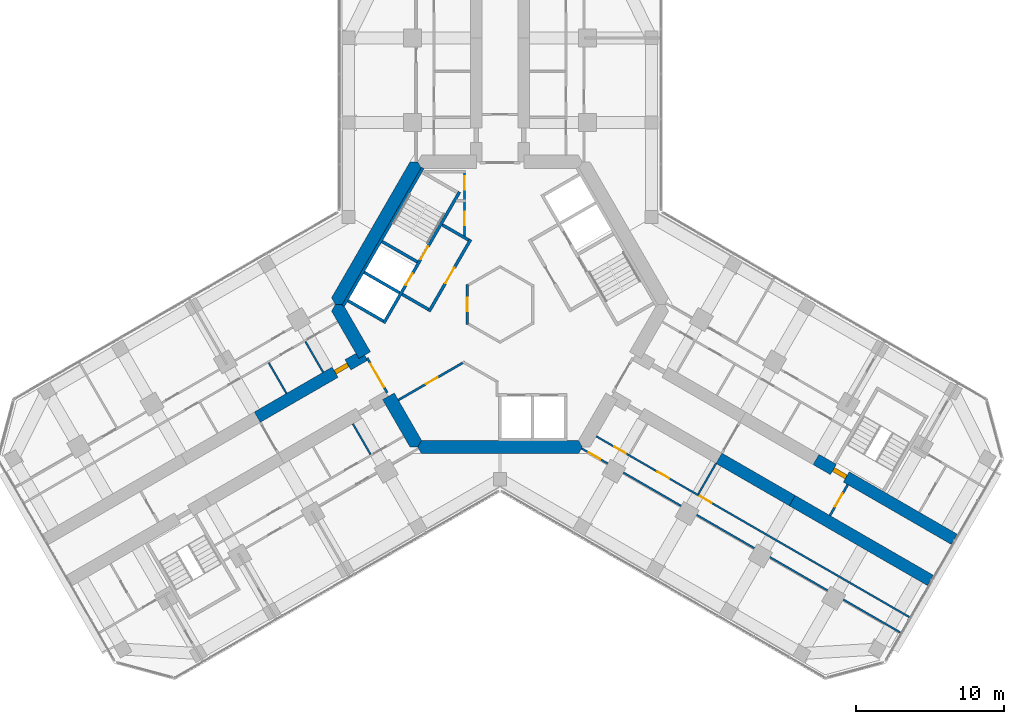
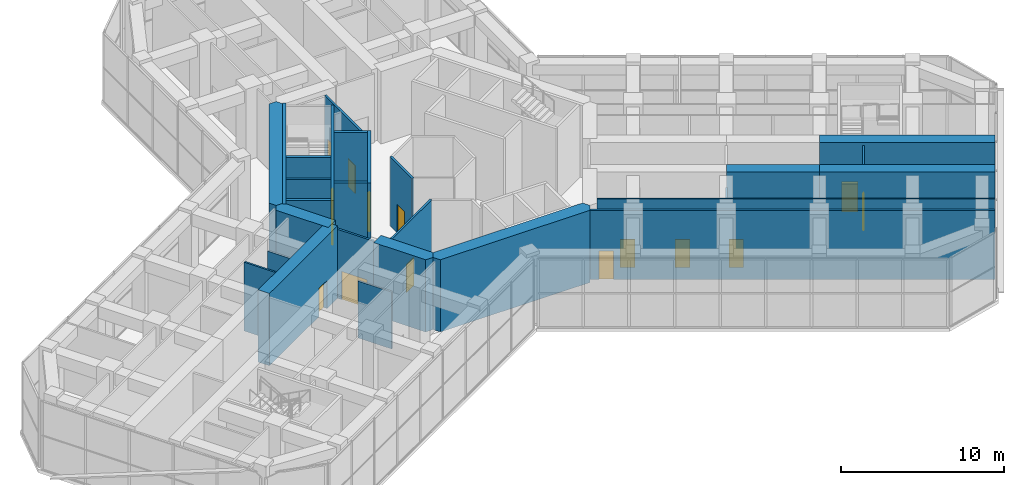
# One storey, part 15 of 20: 27 walls, 15 doors, 15 openings.
"""IFC4 building model written with IfcOpenShell, lengths in metres."""

from ifc_helpers import new_model, si_unit, direction, frame, frame_2d, origin, place, context, subcontext, project, spatial, polyline, rectangle, outline, extrude, material, layer, layer_set, type_object, element, fill, save


model = new_model("IFC4")

# Units and contexts
model_context = context("Model", 3, precision=1e-05, world=origin(), true_north=direction((0.0, 1.0)))
body_context = subcontext(model_context, "Body", "Model", "MODEL_VIEW")
ifc_project = project(units=[si_unit("LENGTHUNIT", "METRE"), si_unit("AREAUNIT", "SQUARE_METRE"), si_unit("VOLUMEUNIT", "CUBIC_METRE"), si_unit("PLANEANGLEUNIT", "RADIAN"), si_unit("MASSUNIT", "GRAM", prefix="KILO")], contexts=[model_context])

# Site, building, storey
site_placement = place(None, origin())
site = spatial("IfcSite", under=ifc_project, at=site_placement, CompositionType="ELEMENT")
building_placement = place(site_placement, origin())
building = spatial("IfcBuilding", under=site, at=building_placement, Name="Kosmar Iwan School Tower", CompositionType="ELEMENT")
storey_placement = place(building_placement, frame((0.0, 0.0, 152.60009765625)))
storey = spatial("IfcBuildingStorey", under=building, at=storey_placement, Name="L38", CompositionType="ELEMENT", Elevation=152.60009765625)

# Wall, openings, doors
ifc_material_1 = material(Name="Gypsum board on steel studs, fire-rated", Category="steel")
ifc_layer_1 = layer(ifc_material_1, 0.14990234375)
ifc_layer_set_1 = layer_set([ifc_layer_1], Name="Core room partition 150")
wall_type_1 = type_object("IfcWallType", Name="Core room partition 150", PredefinedType="PARTITIONING", material=ifc_layer_set_1)
wall_1_placement = place(storey_placement, frame((-2.39990234375, 9.014892578125, 0.0), z_axis=(0.0, 0.0, 1.0), x_axis=(0.0, -1.0, 0.0)))
wall_1 = element("IfcWall", 1, at=wall_1_placement, inside=storey, type_object=wall_type_1, Name="Core room partition L38-CW1", PredefinedType="PARTITIONING", context=body_context, shape_type="SweptSolid", body=[
    extrude(rectangle(XDim=4.484130859375, YDim=0.14990234375, at=frame_2d((2.2421875, 0.0))), origin(), (0.0, 0.0, 1.0), 5.14990234375),
])
opening_1_placement = place(wall_1_placement, frame((0.375, 0.0, 0.0)))
opening_1 = element("IfcOpeningElement", 2, at=opening_1_placement, cuts=wall_1, Name="Opening D14", PredefinedType="OPENING", context=body_context, shape_type="SweptSolid", body=[
    extrude(rectangle(XDim=0.89990234375, YDim=2.10009765625, at=frame_2d((0.449951171875, 1.050048828125))), frame((0.0, 0.0869140625, 0.0), z_axis=(0.0, -1.0, 0.0), x_axis=(1.0, 0.0, 0.0)), (0.0, 0.0, 1.0), 0.173828125),
])
opening_2_placement = place(wall_1_placement, frame((2.77490234375, 0.0, 0.0)))
opening_2 = element("IfcOpeningElement", 3, at=opening_2_placement, cuts=wall_1, Name="Opening D14", PredefinedType="OPENING", context=body_context, shape_type="SweptSolid", body=[
    extrude(rectangle(XDim=0.89990234375, YDim=2.10009765625, at=frame_2d((0.449951171875, 1.050048828125))), frame((0.0, 0.0869140625, 0.0), z_axis=(0.0, -1.0, 0.0), x_axis=(1.0, 0.0, 0.0)), (0.0, 0.0, 1.0), 0.173828125),
])
ifc_material_2 = material(Name="Timber fire door in steel frame", Category="steel")
door_type_1 = type_object("IfcDoorType", Name="Core room door 900x2100", OperationType="SINGLE_SWING_LEFT", PredefinedType="DOOR", material=ifc_material_2)
door_1_placement = place(opening_1_placement, origin())
door_1 = element("IfcDoor", 4, at=door_1_placement, inside=storey, type_object=door_type_1, Name="Electrical riser and switch room door L38 1", OperationType="SINGLE_SWING_LEFT", OverallHeight=2.10009765625, OverallWidth=0.89990234375, PredefinedType="DOOR", context=body_context, shape_type="SweptSolid", body=[
    extrude(rectangle(XDim=0.89990234375, YDim=2.10009765625, at=frame_2d((0.449951171875, 1.050048828125))), frame((0.0, 0.02490234375, 0.0), z_axis=(0.0, -1.0, 0.0), x_axis=(1.0, 0.0, 0.0)), (0.0, 0.0, 1.0), 0.050048828125),
])
fill(opening_1, door_1)
door_2_placement = place(opening_2_placement, origin())
door_2 = element("IfcDoor", 5, at=door_2_placement, inside=storey, type_object=door_type_1, Name="Plumbing and wet riser door L38 2", OperationType="SINGLE_SWING_RIGHT", OverallHeight=2.10009765625, OverallWidth=0.89990234375, PredefinedType="DOOR", context=body_context, shape_type="SweptSolid", body=[
    extrude(rectangle(XDim=0.89990234375, YDim=2.10009765625, at=frame_2d((0.449951171875, 1.050048828125))), frame((0.0, 0.02490234375, 0.0), z_axis=(0.0, -1.0, 0.0), x_axis=(1.0, 0.0, 0.0)), (0.0, 0.0, 1.0), 0.050048828125),
])
fill(opening_2, door_2)

# Wall, opening, door
wall_2_placement = place(storey_placement, frame((-6.853515625, -6.439453125, 0.0), z_axis=(0.0, 0.0, 1.0), x_axis=(0.866030361502, 0.499991412883, 0.0)))
wall_2 = element("IfcWall", 6, at=wall_2_placement, inside=storey, type_object=wall_type_1, Name="Core room partition L38-CW5", PredefinedType="PARTITIONING", context=body_context, shape_type="SweptSolid", body=[
    extrude(rectangle(XDim=5.15966796875, YDim=0.14990234375, at=frame_2d((2.579833984375, 0.0))), origin(), (0.0, 0.0, 1.0), 5.14990234375),
])
opening_3_placement = place(wall_2_placement, frame((2.14990234375, 0.0, 0.0)))
opening_3 = element("IfcOpeningElement", 7, at=opening_3_placement, cuts=wall_2, Name="Opening D14", PredefinedType="OPENING", context=body_context, shape_type="SweptSolid", body=[
    extrude(rectangle(XDim=0.89990234375, YDim=2.10009765625, at=frame_2d((0.449951171875, 1.050048828125))), frame((0.0, 0.0869140625, 0.0), z_axis=(0.0, -1.0, 0.0), x_axis=(1.0, 0.0, 0.0)), (0.0, 0.0, 1.0), 0.173828125),
])
door_3_placement = place(opening_3_placement, origin())
door_3 = element("IfcDoor", 8, at=door_3_placement, inside=storey, type_object=door_type_1, Name="Residents' pantry door L38 3", OperationType="SINGLE_SWING_LEFT", OverallHeight=2.10009765625, OverallWidth=0.89990234375, PredefinedType="DOOR", context=body_context, shape_type="SweptSolid", body=[
    extrude(rectangle(XDim=0.89990234375, YDim=2.10009765625, at=frame_2d((0.449951171875, 1.050048828125))), frame((0.0, 0.02490234375, 0.0), z_axis=(0.0, -1.0, 0.0), x_axis=(1.0, 0.0, 0.0)), (0.0, 0.0, 1.0), 0.050048828125),
])
fill(opening_3, door_3)

wall_3_placement = place(storey_placement, frame((-2.199951171875, -1.34521484375, 0.0), z_axis=(0.0, 0.0, 1.0), x_axis=(0.0, 1.0, 0.0)))
wall_3 = element("IfcWall", 9, at=wall_3_placement, inside=storey, type_object=wall_type_1, Name="Core room partition L38-CW10", PredefinedType="PARTITIONING", context=body_context, shape_type="SweptSolid", body=[
    extrude(rectangle(XDim=2.6904296875, YDim=0.14990234375, at=frame_2d((1.34521484375, 0.0))), origin(), (0.0, 0.0, 1.0), 5.14990234375),
])
opening_4_placement = place(wall_3_placement, frame((0.89501953125, 0.0, 0.0)))
opening_4 = element("IfcOpeningElement", 10, at=opening_4_placement, cuts=wall_3, Name="Opening D14", PredefinedType="OPENING", context=body_context, shape_type="SweptSolid", body=[
    extrude(rectangle(XDim=0.89990234375, YDim=2.10009765625, at=frame_2d((0.449951171875, 1.050048828125))), frame((0.0, 0.0869140625, 0.0), z_axis=(0.0, -1.0, 0.0), x_axis=(1.0, 0.0, 0.0)), (0.0, 0.0, 1.0), 0.173828125),
])
door_4_placement = place(opening_4_placement, origin())
door_4 = element("IfcDoor", 11, at=door_4_placement, inside=storey, type_object=door_type_1, Name="Vending room door L38 4", OperationType="SINGLE_SWING_RIGHT", OverallHeight=2.10009765625, OverallWidth=0.89990234375, PredefinedType="DOOR", context=body_context, shape_type="SweptSolid", body=[
    extrude(rectangle(XDim=0.89990234375, YDim=2.10009765625, at=frame_2d((0.449951171875, 1.050048828125))), frame((0.0, 0.02490234375, 0.0), z_axis=(0.0, -1.0, 0.0), x_axis=(1.0, 0.0, 0.0)), (0.0, 0.0, 1.0), 0.050048828125),
])
fill(opening_4, door_4)

# Walls
ifc_material_3 = material(Name="Concrete C50/60", Category="concrete")
ifc_layer_2 = layer(ifc_material_3, 0.89990234375)
ifc_layer_set_2 = layer_set([ifc_layer_2], Name="Core wall 900")
wall_type_2 = type_object("IfcWallType", Name="Core wall 900", PredefinedType="SHEAR", material=ifc_layer_set_2)
wall_4_placement = place(storey_placement, origin())
element("IfcWall", 12, at=wall_4_placement, inside=storey, type_object=wall_type_2, Name="Core wall F150", PredefinedType="SHEAR", context=body_context, shape_type="SweptSolid", body=[
    extrude(outline(polyline([(-11.085205078125, 0.0), (-10.5654296875, 0.0), (-5.28271484375, 9.14990234375), (-5.54248046875, 9.60009765625), (-6.062255859375, 9.60009765625), (-11.344970703125, 0.449951171875), (-11.085205078125, 0.0)])), origin(), (0.0, 0.0, 1.0), 5.39990234375),
])
wall_5_placement = place(storey_placement, origin())
element("IfcWall", 13, at=wall_5_placement, inside=storey, type_object=wall_type_2, Name="Core wall F210a", PredefinedType="SHEAR", context=body_context, shape_type="SweptSolid", body=[
    extrude(outline(polyline([(-9.503662109375, -3.639404296875), (-8.72412109375, -3.189453125), (-10.5654296875, 0.0), (-11.085205078125, 0.0), (-11.344970703125, -0.449951171875), (-9.503662109375, -3.639404296875)])), origin(), (0.0, 0.0, 1.0), 5.39990234375),
])
wall_6_placement = place(storey_placement, origin())
element("IfcWall", 14, at=wall_6_placement, inside=storey, type_object=wall_type_2, Name="Core wall F210b", PredefinedType="SHEAR", context=body_context, shape_type="SweptSolid", body=[
    extrude(outline(polyline([(-6.062255859375, -9.60009765625), (-5.54248046875, -9.60009765625), (-5.28271484375, -9.14990234375), (-7.1240234375, -5.960693359375), (-7.903564453125, -6.41064453125), (-6.062255859375, -9.60009765625)])), origin(), (0.0, 0.0, 1.0), 5.39990234375),
])
wall_7_placement = place(storey_placement, origin())
element("IfcWall", 15, at=wall_7_placement, inside=storey, type_object=wall_type_2, Name="Core wall F270", PredefinedType="SHEAR", context=body_context, shape_type="SweptSolid", body=[
    extrude(outline(polyline([(-5.28271484375, -10.050048828125), (5.28271484375, -10.050048828125), (5.54248046875, -9.60009765625), (5.28271484375, -9.14990234375), (-5.28271484375, -9.14990234375), (-5.54248046875, -9.60009765625), (-5.28271484375, -10.050048828125)])), origin(), (0.0, 0.0, 1.0), 5.39990234375),
])

# Wall, opening, door
ifc_material_4 = material(Name="Concrete C50/60", Category="concrete")
ifc_layer_3 = layer(ifc_material_4, 0.800048828125)
ifc_layer_set_3 = layer_set([ifc_layer_3], Name="Corridor buttress wall 800")
wall_type_3 = type_object("IfcWallType", Name="Corridor buttress wall 800", PredefinedType="SHEAR", material=ifc_layer_set_3)
wall_8_placement = place(storey_placement, frame((-9.11376953125, -3.414306640625, 0.0), z_axis=(0.0, 0.0, 1.0), x_axis=(-0.866026859388, -0.499997478812, 0.0)))
wall_8 = element("IfcWall", 16, at=wall_8_placement, inside=storey, type_object=wall_type_3, Name="Corridor wall BR", PredefinedType="SHEAR", context=body_context, shape_type="SweptSolid", body=[
    extrude(rectangle(XDim=8.35009765625, YDim=0.800048828125, at=frame_2d((4.175048828125, 0.0))), origin(), (0.0, 0.0, 1.0), 5.39990234375),
])
opening_5_placement = place(wall_8_placement, frame((1.300048828125, 0.0, 0.0)))
opening_5 = element("IfcOpeningElement", 17, at=opening_5_placement, cuts=wall_8, Name="Opening D1", PredefinedType="OPENING", context=body_context, shape_type="SweptSolid", body=[
    extrude(rectangle(XDim=1.0, YDim=2.10009765625, at=frame_2d((0.5, 1.050048828125))), frame((0.0, 0.412109375, 0.0), z_axis=(0.0, -1.0, 0.0), x_axis=(1.0, 0.0, 0.0)), (0.0, 0.0, 1.0), 0.823974609375),
])
ifc_material_5 = material(Name="Timber fire door in steel frame", Category="steel")
door_type_2 = type_object("IfcDoorType", Name="Flat entrance door 1000x2100", OperationType="SINGLE_SWING_LEFT", PredefinedType="DOOR", material=ifc_material_5)
door_5_placement = place(opening_5_placement, origin())
door_5 = element("IfcDoor", 18, at=door_5_placement, inside=storey, type_object=door_type_2, Name="Flat L38-BR1 entrance door", OperationType="SINGLE_SWING_LEFT", OverallHeight=2.10009765625, OverallWidth=1.0, PredefinedType="DOOR", context=body_context, shape_type="SweptSolid", body=[
    extrude(rectangle(XDim=1.0, YDim=2.10009765625, at=frame_2d((0.5, 1.050048828125))), frame((0.0, 0.14990234375, 0.0), z_axis=(0.0, -1.0, 0.0), x_axis=(1.0, 0.0, 0.0)), (0.0, 0.0, 1.0), 0.300048828125),
])
fill(opening_5, door_5)

wall_9_placement = place(storey_placement, frame((21.281494140625, -10.439453125, 0.0), z_axis=(0.0, 0.0, 1.0), x_axis=(0.866032345022, -0.499987977232, 0.0)))
wall_9 = element("IfcWall", 19, at=wall_9_placement, inside=storey, type_object=wall_type_3, Name="Corridor wall CL bay 3", PredefinedType="SHEAR", context=body_context, shape_type="SweptSolid", body=[
    extrude(rectangle(XDim=10.744873046875, YDim=0.800048828125, at=frame_2d((5.37255859375, 0.0))), origin(), (0.0, 0.0, 1.0), 5.39990234375),
])
opening_6_placement = place(wall_9_placement, frame((1.35009765625, 0.0, 0.0)))
opening_6 = element("IfcOpeningElement", 20, at=opening_6_placement, cuts=wall_9, Name="Opening D6", PredefinedType="OPENING", context=body_context, shape_type="SweptSolid", body=[
    extrude(rectangle(XDim=1.0, YDim=2.10009765625, at=frame_2d((0.5, 1.050048828125))), frame((0.0, 0.412109375, 0.0), z_axis=(0.0, -1.0, 0.0), x_axis=(1.0, 0.0, 0.0)), (0.0, 0.0, 1.0), 0.823974609375),
])
ifc_material_6 = material(Name="Steel fire door", Category="steel")
door_type_3 = type_object("IfcDoorType", Name="Stair door 1000x2100", OperationType="SINGLE_SWING_LEFT", PredefinedType="DOOR", material=ifc_material_6)
door_6_placement = place(opening_6_placement, origin())
door_6 = element("IfcDoor", 21, at=door_6_placement, inside=storey, type_object=door_type_3, Name="Stair WS3 door L38", OperationType="SINGLE_SWING_LEFT", OverallHeight=2.10009765625, OverallWidth=1.0, PredefinedType="DOOR", context=body_context, shape_type="SweptSolid", body=[
    extrude(rectangle(XDim=1.0, YDim=2.10009765625, at=frame_2d((0.5, 1.050048828125))), frame((0.0, 0.14990234375, 0.0), z_axis=(0.0, -1.0, 0.0), x_axis=(1.0, 0.0, 0.0)), (0.0, 0.0, 1.0), 0.300048828125),
])
fill(opening_6, door_6)

# Walls
wall_10_placement = place(storey_placement, frame((14.7451171875, -10.360595703125, 0.0), z_axis=(0.0, 0.0, 1.0), x_axis=(0.866015111908, -0.50001782563, 0.0)))
element("IfcWall", 22, at=wall_10_placement, inside=storey, type_object=wall_type_3, Name="Corridor wall CR bay 2", PredefinedType="SHEAR", context=body_context, shape_type="SweptSolid", body=[
    extrude(rectangle(XDim=5.699951171875, YDim=0.800048828125, at=frame_2d((2.85009765625, 0.0))), origin(), (0.0, 0.0, 1.0), 5.39990234375),
])
wall_11_placement = place(storey_placement, frame((19.681396484375, -13.210693359375, 0.0), z_axis=(0.0, 0.0, 1.0), x_axis=(0.866028186671, -0.499995179869, 0.0)))
element("IfcWall", 23, at=wall_11_placement, inside=storey, type_object=wall_type_3, Name="Corridor wall CR bay 3", PredefinedType="SHEAR", context=body_context, shape_type="SweptSolid", body=[
    extrude(rectangle(XDim=10.7451171875, YDim=0.800048828125, at=frame_2d((5.37255859375, 0.0))), origin(), (0.0, 0.0, 1.0), 5.39990234375),
])

# Wall, opening, door
ifc_material_7 = material(Name="Gypsum board on steel studs, fire-rated", Category="steel")
ifc_layer_4 = layer(ifc_material_7, 0.14990234375)
ifc_layer_set_4 = layer_set([ifc_layer_4], Name="Corridor end wall 150")
wall_type_4 = type_object("IfcWallType", Name="Corridor end wall 150", PredefinedType="PARTITIONING", material=ifc_layer_set_4)
wall_12_placement = place(storey_placement, frame((22.2197265625, -14.21435546875, 0.0), z_axis=(0.0, 0.0, 1.0), x_axis=(0.499957262057, 0.866050077142, 0.0)))
wall_12 = element("IfcWall", 24, at=wall_12_placement, inside=storey, type_object=wall_type_4, Name="Partition L38-C-CE", PredefinedType="PARTITIONING", context=body_context, shape_type="SweptSolid", body=[
    extrude(rectangle(XDim=2.400146484375, YDim=0.14990234375, at=frame_2d((1.2001953125, 0.0))), origin(), (0.0, 0.0, 1.0), 5.14990234375),
])
opening_7_placement = place(wall_12_placement, frame((0.699951171875, 0.0, 0.0)))
opening_7 = element("IfcOpeningElement", 25, at=opening_7_placement, cuts=wall_12, Name="Opening D13", PredefinedType="OPENING", context=body_context, shape_type="SweptSolid", body=[
    extrude(rectangle(XDim=1.0, YDim=2.10009765625, at=frame_2d((0.5, 1.050048828125))), frame((0.0, 0.0869140625, 0.0), z_axis=(0.0, -1.0, 0.0), x_axis=(1.0, 0.0, 0.0)), (0.0, 0.0, 1.0), 0.173828125),
])
ifc_material_8 = material(Name="Timber fire door with vision panel", Category="wood")
door_type_4 = type_object("IfcDoorType", Name="Corridor end door 1000x2100", OperationType="SINGLE_SWING_LEFT", PredefinedType="DOOR", material=ifc_material_8)
door_7_placement = place(opening_7_placement, origin())
door_7 = element("IfcDoor", 26, at=door_7_placement, inside=storey, type_object=door_type_4, Name="Family study room door L38-C", OperationType="SINGLE_SWING_LEFT", OverallHeight=2.10009765625, OverallWidth=1.0, PredefinedType="DOOR", context=body_context, shape_type="SweptSolid", body=[
    extrude(rectangle(XDim=1.0, YDim=2.10009765625, at=frame_2d((0.5, 1.050048828125))), frame((0.0, 0.02490234375, 0.0), z_axis=(0.0, -1.0, 0.0), x_axis=(1.0, 0.0, 0.0)), (0.0, 0.0, 1.0), 0.050048828125),
])
fill(opening_7, door_7)

ifc_material_9 = material(Name="Steel framed glazed screen", Category="steel")
ifc_layer_5 = layer(ifc_material_9, 0.14990234375)
ifc_layer_set_5 = layer_set([ifc_layer_5], Name="Corridor screen wall 150")
wall_type_5 = type_object("IfcWallType", Name="Corridor screen wall 150", PredefinedType="PARTITIONING", material=ifc_layer_set_5)
wall_13_placement = place(storey_placement, frame((-8.945556640625, -3.60595703125, 0.0), z_axis=(0.0, 0.0, 1.0), x_axis=(0.500048589285, -0.86599734893, 0.0)))
wall_13 = element("IfcWall", 27, at=wall_13_placement, inside=storey, type_object=wall_type_5, Name="Corridor screen B L38", PredefinedType="PARTITIONING", context=body_context, shape_type="SweptSolid", body=[
    extrude(rectangle(XDim=2.699951171875, YDim=0.14990234375, at=frame_2d((1.35009765625, 0.0))), origin(), (0.0, 0.0, 1.0), 5.14990234375),
])
opening_8_placement = place(wall_13_placement, frame((0.449951171875, 0.0, 0.0)))
opening_8 = element("IfcOpeningElement", 28, at=opening_8_placement, cuts=wall_13, Name="Opening D9", PredefinedType="OPENING", context=body_context, shape_type="SweptSolid", body=[
    extrude(rectangle(XDim=1.800048828125, YDim=2.10009765625, at=frame_2d((0.89990234375, 1.050048828125))), frame((0.0, 0.0869140625, 0.0), z_axis=(0.0, -1.0, 0.0), x_axis=(1.0, 0.0, 0.0)), (0.0, 0.0, 1.0), 0.173828125),
])
ifc_material_10 = material(Name="Steel framed glazed smoke door", Category="steel")
door_type_5 = type_object("IfcDoorType", Name="Corridor smoke door pair 1800x2100", OperationType="DOUBLE_DOOR_DOUBLE_SWING", PredefinedType="DOOR", material=ifc_material_10)
door_8_placement = place(opening_8_placement, origin())
door_8 = element("IfcDoor", 29, at=door_8_placement, inside=storey, type_object=door_type_5, Name="Corridor doors B L38", OperationType="DOUBLE_DOOR_DOUBLE_SWING", OverallHeight=2.10009765625, OverallWidth=1.800048828125, PredefinedType="DOOR", context=body_context, shape_type="SweptSolid", body=[
    extrude(rectangle(XDim=1.800048828125, YDim=2.10009765625, at=frame_2d((0.89990234375, 1.050048828125))), frame((0.0, 0.02490234375, 0.0), z_axis=(0.0, -1.0, 0.0), x_axis=(1.0, 0.0, 0.0)), (0.0, 0.0, 1.0), 0.050048828125),
])
fill(opening_8, door_8)

# Walls
ifc_material_11 = material(Name="Gypsum board on steel studs", Category="steel")
ifc_layer_6 = layer(ifc_material_11, 0.1201171875)
ifc_layer_set_6 = layer_set([ifc_layer_6], Name="Dwelling partition 120")
wall_type_6 = type_object("IfcWallType", Name="Dwelling partition 120", PredefinedType="PARTITIONING", material=ifc_layer_set_6)
for number, where, z_axis, x_axis, name in (
    (30, (-9.911865234375, -8.031982421875, 0.0), (0.0, 0.0, 1.0), (0.500017192868, -0.86601547725, 0.0), "Partition L38-BL1-Y1"),
    (31, (-11.911865234375, -4.56787109375, 0.0), (0.0, 0.0, 1.0), (-0.500017192868, 0.86601547725, 0.0), "Partition L38-BR1-Y1"),
):
    element("IfcWall", number, at=place(storey_placement, frame(where, z_axis=z_axis, x_axis=x_axis)), inside=storey, type_object=wall_type_6, Name=name, PredefinedType="PARTITIONING", context=body_context, shape_type="SweptSolid", body=[
        extrude(rectangle(XDim=2.39013671875, YDim=0.1201171875, at=frame_2d((1.195068359375, 0.0))), origin(), (0.0, 0.0, 1.0), 4.25),
    ])
wall_14_placement = place(storey_placement, frame((-14.380126953125, -5.992919921875, 0.0), z_axis=(0.0, 0.0, 1.0), x_axis=(-0.500017192868, 0.86601547725, 0.0)))
element("IfcWall", 32, at=wall_14_placement, inside=storey, type_object=wall_type_6, Name="Partition L38-BR1-Y2", PredefinedType="PARTITIONING", context=body_context, shape_type="SweptSolid", body=[
    extrude(rectangle(XDim=2.39013671875, YDim=0.1201171875, at=frame_2d((1.195068359375, 0.0))), origin(), (0.0, 0.0, 1.0), 5.14990234375),
])

# Wall, openings, doors
wall_15_placement = place(storey_placement, frame((6.478515625, -8.87890625, 0.0), z_axis=(0.0, 0.0, 1.0), x_axis=(0.866028940855, -0.499993873563, 0.0)))
wall_15 = element("IfcWall", 33, at=wall_15_placement, inside=storey, type_object=wall_type_6, Name="Partition L38-CR1-W1", PredefinedType="PARTITIONING", context=body_context, shape_type="SweptSolid", body=[
    extrude(rectangle(XDim=24.344970703125, YDim=0.1201171875, at=frame_2d((12.17236328125, 0.0))), origin(), (0.0, 0.0, 1.0), 5.14990234375),
])
opening_9_placement = place(wall_15_placement, frame((1.39990234375, 0.0, 0.0)))
opening_9 = element("IfcOpeningElement", 34, at=opening_9_placement, cuts=wall_15, Name="Opening D2", PredefinedType="OPENING", context=body_context, shape_type="SweptSolid", body=[
    extrude(rectangle(XDim=0.89990234375, YDim=2.10009765625, at=frame_2d((0.449951171875, 1.050048828125))), frame((0.0, 0.072021484375, 0.0), z_axis=(0.0, -1.0, 0.0), x_axis=(1.0, 0.0, 0.0)), (0.0, 0.0, 1.0), 0.14404296875),
])
opening_10_placement = place(wall_15_placement, frame((4.77490234375, 0.0, 0.0)))
opening_10 = element("IfcOpeningElement", 35, at=opening_10_placement, cuts=wall_15, Name="Opening D2", PredefinedType="OPENING", context=body_context, shape_type="SweptSolid", body=[
    extrude(rectangle(XDim=0.89990234375, YDim=2.10009765625, at=frame_2d((0.449951171875, 1.050048828125))), frame((0.0, 0.072021484375, 0.0), z_axis=(0.0, -1.0, 0.0), x_axis=(1.0, 0.0, 0.0)), (0.0, 0.0, 1.0), 0.14404296875),
])
opening_11_placement = place(wall_15_placement, frame((8.06005859375, 0.0, 0.0)))
opening_11 = element("IfcOpeningElement", 36, at=opening_11_placement, cuts=wall_15, Name="Opening D2", PredefinedType="OPENING", context=body_context, shape_type="SweptSolid", body=[
    extrude(rectangle(XDim=0.89990234375, YDim=2.10009765625, at=frame_2d((0.449951171875, 1.050048828125))), frame((0.0, 0.072021484375, 0.0), z_axis=(0.0, -1.0, 0.0), x_axis=(1.0, 0.0, 0.0)), (0.0, 0.0, 1.0), 0.14404296875),
])
ifc_material_12 = material(Name="Timber door in timber frame", Category="wood")
door_type_6 = type_object("IfcDoorType", Name="Internal door 900x2100", OperationType="SINGLE_SWING_LEFT", PredefinedType="DOOR", material=ifc_material_12)
door_9_placement = place(opening_9_placement, origin())
door_9 = element("IfcDoor", 37, at=door_9_placement, inside=storey, type_object=door_type_6, Name="Entrance hall door L38-CR1-S1", OperationType="SINGLE_SWING_RIGHT", OverallHeight=2.10009765625, OverallWidth=0.89990234375, PredefinedType="DOOR", context=body_context, shape_type="SweptSolid", body=[
    extrude(rectangle(XDim=0.89990234375, YDim=2.10009765625, at=frame_2d((0.449951171875, 1.050048828125))), frame((0.0, 0.02490234375, 0.0), z_axis=(0.0, -1.0, 0.0), x_axis=(1.0, 0.0, 0.0)), (0.0, 0.0, 1.0), 0.050048828125),
])
fill(opening_9, door_9)
door_10_placement = place(opening_10_placement, origin())
door_10 = element("IfcDoor", 38, at=door_10_placement, inside=storey, type_object=door_type_6, Name="Garden store door L38-CR1-S2", OperationType="SINGLE_SWING_RIGHT", OverallHeight=2.10009765625, OverallWidth=0.89990234375, PredefinedType="DOOR", context=body_context, shape_type="SweptSolid", body=[
    extrude(rectangle(XDim=0.89990234375, YDim=2.10009765625, at=frame_2d((0.449951171875, 1.050048828125))), frame((0.0, 0.02490234375, 0.0), z_axis=(0.0, -1.0, 0.0), x_axis=(1.0, 0.0, 0.0)), (0.0, 0.0, 1.0), 0.050048828125),
])
fill(opening_10, door_10)
door_11_placement = place(opening_11_placement, origin())
door_11 = element("IfcDoor", 39, at=door_11_placement, inside=storey, type_object=door_type_6, Name="Toilets door L38-CR1-S3", OperationType="SINGLE_SWING_LEFT", OverallHeight=2.10009765625, OverallWidth=0.89990234375, PredefinedType="DOOR", context=body_context, shape_type="SweptSolid", body=[
    extrude(rectangle(XDim=0.89990234375, YDim=2.10009765625, at=frame_2d((0.449951171875, 1.050048828125))), frame((0.0, 0.02490234375, 0.0), z_axis=(0.0, -1.0, 0.0), x_axis=(1.0, 0.0, 0.0)), (0.0, 0.0, 1.0), 0.050048828125),
])
fill(opening_11, door_11)

# Wall, opening, door
wall_16_placement = place(storey_placement, frame((5.48876953125, -9.693115234375, 0.0), z_axis=(0.0, 0.0, 1.0), x_axis=(0.866026536093, -0.499998038779, 0.0)))
wall_16 = element("IfcWall", 40, at=wall_16_placement, inside=storey, type_object=wall_type_6, Name="Partition L38-CR1-W2", PredefinedType="PARTITIONING", context=body_context, shape_type="SweptSolid", body=[
    extrude(rectangle(XDim=24.794921875, YDim=0.1201171875, at=frame_2d((12.3974609375, 0.0))), origin(), (0.0, 0.0, 1.0), 5.14990234375),
])
opening_12_placement = place(wall_16_placement, frame((0.56005859375, 0.0, 0.0)))
opening_12 = element("IfcOpeningElement", 41, at=opening_12_placement, cuts=wall_16, Name="Opening D2", PredefinedType="OPENING", context=body_context, shape_type="SweptSolid", body=[
    extrude(rectangle(XDim=0.89990234375, YDim=2.10009765625, at=frame_2d((0.449951171875, 1.050048828125))), frame((0.0, 0.072021484375, 0.0), z_axis=(0.0, -1.0, 0.0), x_axis=(1.0, 0.0, 0.0)), (0.0, 0.0, 1.0), 0.14404296875),
])
door_12_placement = place(opening_12_placement, origin())
door_12 = element("IfcDoor", 42, at=door_12_placement, inside=storey, type_object=door_type_6, Name="Winter garden door L38-CR1-F1", OperationType="SINGLE_SWING_LEFT", OverallHeight=2.10009765625, OverallWidth=0.89990234375, PredefinedType="DOOR", context=body_context, shape_type="SweptSolid", body=[
    extrude(rectangle(XDim=0.89990234375, YDim=2.10009765625, at=frame_2d((0.449951171875, 1.050048828125))), frame((0.0, 0.02490234375, 0.0), z_axis=(0.0, -1.0, 0.0), x_axis=(1.0, 0.0, 0.0)), (0.0, 0.0, 1.0), 0.050048828125),
])
fill(opening_12, door_12)

# Wall
wall_17_placement = place(storey_placement, frame((14.545166015625, -10.70703125, 0.0), z_axis=(0.0, 0.0, 1.0), x_axis=(-0.500017192868, -0.86601547725, 0.0)))
element("IfcWall", 43, at=wall_17_placement, inside=storey, type_object=wall_type_6, Name="Partition L38-CR1-Y2", PredefinedType="PARTITIONING", context=body_context, shape_type="SweptSolid", body=[
    extrude(rectangle(XDim=2.39013671875, YDim=0.1201171875, at=frame_2d((1.195068359375, 0.0))), origin(), (0.0, 0.0, 1.0), 4.25),
])

# Wall, opening, door
ifc_material_13 = material(Name="Concrete block masonry", Category="masonry")
ifc_layer_7 = layer(ifc_material_13, 0.199951171875)
ifc_layer_set_7 = layer_set([ifc_layer_7], Name="Fire lobby wall 200")
wall_type_7 = type_object("IfcWallType", Name="Fire lobby wall 200", PredefinedType="PARTITIONING", material=ifc_layer_set_7)
wall_18_placement = place(storey_placement, frame((-1.9775390625, 4.374755859375, 0.0), z_axis=(0.0, 0.0, 1.0), x_axis=(-0.500016814911, -0.866015695474, 0.0)))
wall_18 = element("IfcWall", 44, at=wall_18_placement, inside=storey, type_object=wall_type_7, Name="Firefighting lobby wall ST2", PredefinedType="PARTITIONING", context=body_context, shape_type="SweptSolid", body=[
    extrude(rectangle(XDim=5.599853515625, YDim=0.199951171875, at=frame_2d((2.7998046875, 0.0))), origin(), (0.0, 0.0, 1.0), 5.14990234375),
])
opening_13_placement = place(wall_18_placement, frame((2.199951171875, 0.0, 0.0)))
opening_13 = element("IfcOpeningElement", 45, at=opening_13_placement, cuts=wall_18, Name="Opening D7", PredefinedType="OPENING", context=body_context, shape_type="SweptSolid", body=[
    extrude(rectangle(XDim=1.199951171875, YDim=2.10009765625, at=frame_2d((0.60009765625, 1.050048828125))), frame((0.0, 0.112060546875, 0.0), z_axis=(0.0, -1.0, 0.0), x_axis=(1.0, 0.0, 0.0)), (0.0, 0.0, 1.0), 0.223876953125),
])
ifc_material_14 = material(Name="Steel fire door", Category="steel")
door_type_7 = type_object("IfcDoorType", Name="Fire lobby door 1200x2100", OperationType="SINGLE_SWING_LEFT", PredefinedType="DOOR", material=ifc_material_14)
door_13_placement = place(opening_13_placement, origin())
door_13 = element("IfcDoor", 46, at=door_13_placement, inside=storey, type_object=door_type_7, Name="Firefighting lobby door ST2 L38", OperationType="SINGLE_SWING_RIGHT", OverallHeight=2.10009765625, OverallWidth=1.199951171875, PredefinedType="DOOR", context=body_context, shape_type="SweptSolid", body=[
    extrude(rectangle(XDim=1.199951171875, YDim=2.10009765625, at=frame_2d((0.60009765625, 1.050048828125))), frame((0.0, 0.02490234375, 0.0), z_axis=(0.0, -1.0, 0.0), x_axis=(1.0, 0.0, 0.0)), (0.0, 0.0, 1.0), 0.050048828125),
])
fill(opening_13, door_13)

# Walls
wall_19_placement = place(storey_placement, frame((-2.114013671875, 4.33837890625, 0.0), z_axis=(0.0, 0.0, 1.0), x_axis=(-0.866050731258, 0.499956128963, 0.0)))
element("IfcWall", 47, at=wall_19_placement, inside=storey, type_object=wall_type_7, Name="Firefighting lobby wall ST2", PredefinedType="PARTITIONING", context=body_context, shape_type="SweptSolid", body=[
    extrude(rectangle(XDim=2.050048828125, YDim=0.199951171875, at=frame_2d((1.02490234375, 0.0))), origin(), (0.0, 0.0, 1.0), 5.14990234375),
])
wall_20_placement = place(storey_placement, frame((-4.814208984375, -0.33837890625, 0.0), z_axis=(0.0, 0.0, 1.0), x_axis=(-0.865969381856, 0.500097020274, 0.0)))
element("IfcWall", 48, at=wall_20_placement, inside=storey, type_object=wall_type_7, Name="Firefighting lobby wall ST2", PredefinedType="PARTITIONING", context=body_context, shape_type="SweptSolid", body=[
    extrude(rectangle(XDim=2.0498046875, YDim=0.199951171875, at=frame_2d((1.02490234375, 0.0))), origin(), (0.0, 0.0, 1.0), 5.14990234375),
])

# Wall, openings, doors
ifc_material_15 = material(Name="Concrete C50/60", Category="concrete")
ifc_layer_8 = layer(ifc_material_15, 0.199951171875)
ifc_layer_set_8 = layer_set([ifc_layer_8], Name="Lift shaft wall 200")
wall_type_8 = type_object("IfcWallType", Name="Lift shaft wall 200", PredefinedType="SHEAR", material=ifc_layer_set_8)
wall_21_placement = place(storey_placement, frame((-2.72607421875, 7.578369140625, 0.0), z_axis=(0.0, 0.0, 1.0), x_axis=(-0.500005610874, -0.86602216432, 0.0)))
wall_21 = element("IfcWall", 49, at=wall_21_placement, inside=storey, type_object=wall_type_8, Name="Lift and stair front wall AB", PredefinedType="SHEAR", context=body_context, shape_type="SweptSolid", body=[
    extrude(rectangle(XDim=10.2001953125, YDim=0.199951171875, at=frame_2d((5.10009765625, 0.0))), origin(), (0.0, 0.0, 1.0), 5.39990234375),
])
opening_14_placement = place(wall_21_placement, frame((6.35009765625, 0.0, 0.0)))
opening_14 = element("IfcOpeningElement", 50, at=opening_14_placement, cuts=wall_21, Name="Opening LD2", PredefinedType="OPENING", context=body_context, shape_type="SweptSolid", body=[
    extrude(rectangle(XDim=0.89990234375, YDim=2.10009765625, at=frame_2d((0.449951171875, 1.050048828125))), frame((0.0, 0.112060546875, 0.0), z_axis=(0.0, -1.0, 0.0), x_axis=(1.0, 0.0, 0.0)), (0.0, 0.0, 1.0), 0.223876953125),
])
opening_15_placement = place(wall_21_placement, frame((4.22998046875, 0.0, 0.0)))
opening_15 = element("IfcOpeningElement", 51, at=opening_15_placement, cuts=wall_21, Name="Opening D6", PredefinedType="OPENING", context=body_context, shape_type="SweptSolid", body=[
    extrude(rectangle(XDim=1.0, YDim=2.10009765625, at=frame_2d((0.5, 1.050048828125))), frame((0.0, 0.112060546875, 0.0), z_axis=(0.0, -1.0, 0.0), x_axis=(1.0, 0.0, 0.0)), (0.0, 0.0, 1.0), 0.223876953125),
])
ifc_material_16 = material(Name="Stainless steel sliding lift door", Category="steel")
door_type_8 = type_object("IfcDoorType", Name="Firefighting lift landing door 900x2100", OperationType="SLIDING_TO_LEFT", PredefinedType="DOOR", material=ifc_material_16)
door_14_placement = place(opening_14_placement, origin())
door_14 = element("IfcDoor", 52, at=door_14_placement, inside=storey, type_object=door_type_8, Name="Lift FF2 landing door L38", OperationType="SLIDING_TO_LEFT", OverallHeight=2.10009765625, OverallWidth=0.89990234375, PredefinedType="DOOR", context=body_context, shape_type="SweptSolid", body=[
    extrude(rectangle(XDim=0.89990234375, YDim=2.10009765625, at=frame_2d((0.449951171875, 1.050048828125))), frame((0.0, 0.02490234375, 0.0), z_axis=(0.0, -1.0, 0.0), x_axis=(1.0, 0.0, 0.0)), (0.0, 0.0, 1.0), 0.050048828125),
])
fill(opening_14, door_14)
door_15_placement = place(opening_15_placement, origin())
door_15 = element("IfcDoor", 53, at=door_15_placement, inside=storey, type_object=door_type_3, Name="Stair ST2 door L38", OperationType="SINGLE_SWING_LEFT", OverallHeight=2.10009765625, OverallWidth=1.0, PredefinedType="DOOR", context=body_context, shape_type="SweptSolid", body=[
    extrude(rectangle(XDim=1.0, YDim=2.10009765625, at=frame_2d((0.5, 1.050048828125))), frame((0.0, 0.02490234375, 0.0), z_axis=(0.0, -1.0, 0.0), x_axis=(1.0, 0.0, 0.0)), (0.0, 0.0, 1.0), 0.050048828125),
])
fill(opening_15, door_15)

# Walls
wall_22_placement = place(storey_placement, frame((-5.196044921875, 9.199951171875, 0.0), z_axis=(0.0, 0.0, 1.0), x_axis=(-0.499999935134, -0.866025441235, 0.0)))
element("IfcWall", 54, at=wall_22_placement, inside=storey, type_object=wall_type_8, Name="Lift and stair back wall AB", PredefinedType="SHEAR", context=body_context, shape_type="SweptSolid", body=[
    extrude(rectangle(XDim=10.73876953125, YDim=0.199951171875, at=frame_2d((5.369384765625, 0.0))), origin(), (0.0, 0.0, 1.0), 5.39990234375),
])
for number, where, z_axis, x_axis, name in (
    (55, (-6.7626953125, 0.78662109375, 0.0), (0.0, 0.0, 1.0), (-0.866027397988, 0.499996545922, 0.0), "Lift shaft wall AB 1"),
    (56, (-7.862548828125, -1.118408203125, 0.0), (0.0, 0.0, 1.0), (-0.866027397988, 0.499996545922, 0.0), "Lift shaft wall AB 2"),
):
    element("IfcWall", number, at=place(storey_placement, frame(where, z_axis=z_axis, x_axis=x_axis)), inside=storey, type_object=wall_type_8, Name=name, PredefinedType="SHEAR", context=body_context, shape_type="SweptSolid", body=[
        extrude(rectangle(XDim=2.75, YDim=0.199951171875, at=frame_2d((1.375, 0.0))), origin(), (0.0, 0.0, 1.0), 5.39990234375),
    ])
ifc_material_17 = material(Name="Concrete C50/60", Category="concrete")
ifc_layer_9 = layer(ifc_material_17, 0.199951171875)
ifc_layer_set_9 = layer_set([ifc_layer_9], Name="Stair enclosure wall 200")
wall_type_9 = type_object("IfcWallType", Name="Stair enclosure wall 200", PredefinedType="SHEAR", material=ifc_layer_set_9)
wall_23_placement = place(storey_placement, frame((-5.562744140625, 2.865234375, 0.0), z_axis=(0.0, 0.0, 1.0), x_axis=(-0.866027397988, 0.499996545922, 0.0)))
element("IfcWall", 57, at=wall_23_placement, inside=storey, type_object=wall_type_9, Name="Stair ST2 wall", PredefinedType="SHEAR", context=body_context, shape_type="SweptSolid", body=[
    extrude(rectangle(XDim=2.75, YDim=0.199951171875, at=frame_2d((1.375, 0.0))), origin(), (0.0, 0.0, 1.0), 5.39990234375),
])

save(model, "model.ifc")
